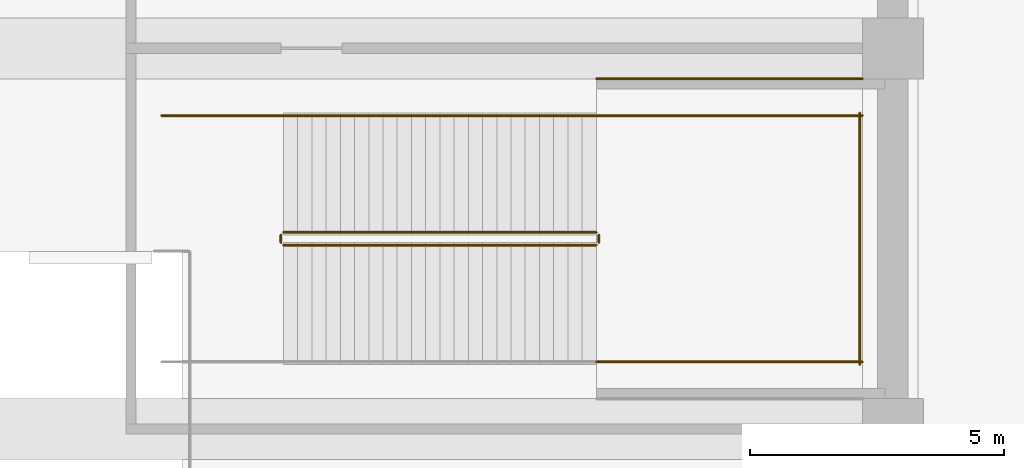
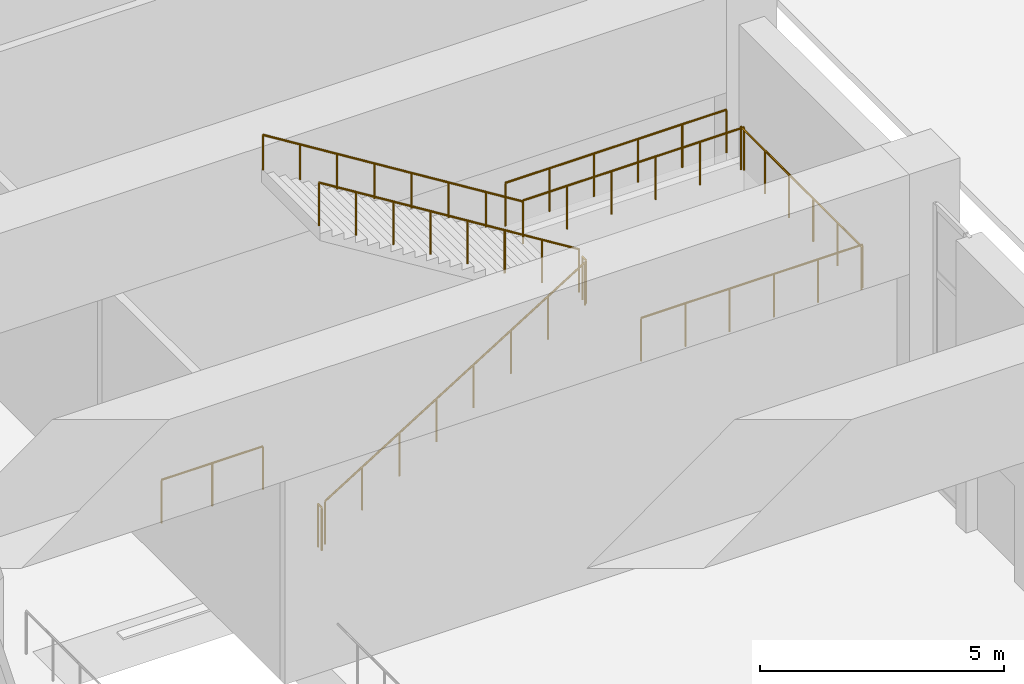
# One storey, part 43 of 57: 10 railings.
"""IFC4 building model written with IfcOpenShell, lengths in metres."""

from ifc_helpers import new_model, si_unit, direction, frame, origin, origin_2d, place, context, subcontext, project, spatial, circle, extrude, material, type_object, element, save


model = new_model("IFC4")

# Units and contexts
model_context = context("Model", 3, precision=1e-05, world=origin(), true_north=direction((0.0, 1.0)))
body_context = subcontext(model_context, "Body", "Model", "MODEL_VIEW")
ifc_project = project(units=[si_unit("LENGTHUNIT", "METRE"), si_unit("AREAUNIT", "SQUARE_METRE"), si_unit("VOLUMEUNIT", "CUBIC_METRE"), si_unit("PLANEANGLEUNIT", "RADIAN"), si_unit("MASSUNIT", "GRAM", prefix="KILO")], contexts=[model_context])

# Site, building, storey
site_placement = place(None, origin())
site = spatial("IfcSite", under=ifc_project, at=site_placement, CompositionType="ELEMENT")
building_placement = place(site_placement, origin())
building = spatial("IfcBuilding", under=site, at=building_placement, Name="Tamorin Gate", CompositionType="ELEMENT")
storey_placement = place(building_placement, origin())
storey = spatial("IfcBuildingStorey", under=building, at=storey_placement, Name="L00", CompositionType="ELEMENT", Elevation=0.0)

# Railings
ifc_material = material(Name="Steel", Category="steel")
railing_type_1 = type_object("IfcRailingType", Name="Podium guard 1100", PredefinedType="GUARDRAIL", material=ifc_material)
railing_1_placement = place(storey_placement, frame((100.0, 56.125, 0.173828125)))
element("IfcRailing", 1, at=railing_1_placement, inside=storey, type_object=railing_type_1, Name="L00 PS3 stair guard 1", PredefinedType="GUARDRAIL", context=body_context, shape_type="SweptSolid", body=[
    extrude(circle(Radius=0.02392578125, at=origin_2d()), frame((0.0, 0.0, 1.076171875), z_axis=(0.849468459523, 0.0, 0.527639399851), x_axis=(0.0, 1.0, 0.0)), (0.0, 0.0, 1.0), 7.25146484375),
    extrude(circle(Radius=0.02099609375, at=origin_2d()), origin(), (0.0, 0.0, 1.0), 1.052001953125),
    extrude(circle(Radius=0.02099609375, at=origin_2d()), frame((0.8798828125, 0.0, 0.546630859375)), (0.0, 0.0, 1.0), 1.052001953125),
    extrude(circle(Radius=0.02099609375, at=origin_2d()), frame((1.760009765625, 0.0, 1.09326171875)), (0.0, 0.0, 1.0), 1.052001953125),
    extrude(circle(Radius=0.02099609375, at=origin_2d()), frame((2.639892578125, 0.0, 1.639892578125)), (0.0, 0.0, 1.0), 1.052001953125),
    extrude(circle(Radius=0.02099609375, at=origin_2d()), frame((3.52001953125, 0.0, 2.186279296875)), (0.0, 0.0, 1.0), 1.052001953125),
    extrude(circle(Radius=0.02099609375, at=origin_2d()), frame((4.39990234375, 0.0, 2.73291015625)), (0.0, 0.0, 1.0), 1.052001953125),
    extrude(circle(Radius=0.02099609375, at=origin_2d()), frame((5.280029296875, 0.0, 3.279541015625)), (0.0, 0.0, 1.0), 1.052001953125),
    extrude(circle(Radius=0.02099609375, at=origin_2d()), frame((6.159912109375, 0.0, 3.826171875)), (0.0, 0.0, 1.0), 1.052001953125),
])
railing_2_placement = place(storey_placement, frame((106.2099609375, 56.175048828125, 4.0)))
element("IfcRailing", 2, at=railing_2_placement, inside=storey, type_object=railing_type_1, Name="L00 PS3 stair guard 2", PredefinedType="GUARDRAIL", context=body_context, shape_type="SweptSolid", body=[
    extrude(circle(Radius=0.02392578125, at=origin_2d()), frame((0.0, 0.0, 1.076171875), z_axis=(0.0, 1.0, 0.0), x_axis=(-1.0, 0.0, 0.0)), (0.0, 0.0, 1.0), 0.14990234375),
    extrude(circle(Radius=0.02099609375, at=origin_2d()), origin(), (0.0, 0.0, 1.0), 1.052001953125),
    extrude(circle(Radius=0.02099609375, at=origin_2d()), frame((0.0, 0.14990234375, 0.0)), (0.0, 0.0, 1.0), 1.052001953125),
])
for number, where, name in (
    (3, (106.159912109375, 53.824951171875, 4.0), "L00 PS3 stair guard 3"),
    (4, (106.159912109375, 58.675048828125, 4.0), "L00 PS3 stair guard 4"),
):
    element("IfcRailing", number, at=place(storey_placement, frame(where)), inside=storey, type_object=railing_type_1, Name=name, PredefinedType="GUARDRAIL", context=body_context, shape_type="SweptSolid", body=[
        extrude(circle(Radius=0.02392578125, at=origin_2d()), frame((0.0, 0.0, 1.076171875), z_axis=(1.0, 0.0, 0.0), x_axis=(0.0, 1.0, 0.0)), (0.0, 0.0, 1.0), 5.239990234375),
        extrude(circle(Radius=0.02099609375, at=origin_2d()), origin(), (0.0, 0.0, 1.0), 1.052001953125),
        extrude(circle(Radius=0.02099609375, at=origin_2d()), frame((1.048095703125, 0.0, 0.0)), (0.0, 0.0, 1.0), 1.052001953125),
        extrude(circle(Radius=0.02099609375, at=origin_2d()), frame((2.095947265625, 0.0, 0.0)), (0.0, 0.0, 1.0), 1.052001953125),
        extrude(circle(Radius=0.02099609375, at=origin_2d()), frame((3.14404296875, 0.0, 0.0)), (0.0, 0.0, 1.0), 1.052001953125),
        extrude(circle(Radius=0.02099609375, at=origin_2d()), frame((4.19189453125, 0.0, 0.0)), (0.0, 0.0, 1.0), 1.052001953125),
        extrude(circle(Radius=0.02099609375, at=origin_2d()), frame((5.239990234375, 0.0, 0.0)), (0.0, 0.0, 1.0), 1.052001953125),
    ])
railing_3_placement = place(storey_placement, frame((111.35009765625, 53.77490234375, 4.0)))
element("IfcRailing", 5, at=railing_3_placement, inside=storey, type_object=railing_type_1, Name="L00 PS3 stair guard 5", PredefinedType="GUARDRAIL", context=body_context, shape_type="SweptSolid", body=[
    extrude(circle(Radius=0.02392578125, at=origin_2d()), frame((0.0, 0.0, 1.076171875), z_axis=(0.0, 1.0, 0.0), x_axis=(-1.0, 0.0, 0.0)), (0.0, 0.0, 1.0), 4.9501953125),
    extrude(circle(Radius=0.02099609375, at=origin_2d()), origin(), (0.0, 0.0, 1.0), 1.052001953125),
    extrude(circle(Radius=0.02099609375, at=origin_2d()), frame((0.0, 0.989990234375, 0.0)), (0.0, 0.0, 1.0), 1.052001953125),
    extrude(circle(Radius=0.02099609375, at=origin_2d()), frame((0.0, 1.97998046875, 0.0)), (0.0, 0.0, 1.0), 1.052001953125),
    extrude(circle(Radius=0.02099609375, at=origin_2d()), frame((0.0, 2.97021484375, 0.0)), (0.0, 0.0, 1.0), 1.052001953125),
    extrude(circle(Radius=0.02099609375, at=origin_2d()), frame((0.0, 3.960205078125, 0.0)), (0.0, 0.0, 1.0), 1.052001953125),
    extrude(circle(Radius=0.02099609375, at=origin_2d()), frame((0.0, 4.9501953125, 0.0)), (0.0, 0.0, 1.0), 1.052001953125),
])
railing_4_placement = place(storey_placement, frame((106.159912109375, 56.375, 4.173828125)))
element("IfcRailing", 6, at=railing_4_placement, inside=storey, type_object=railing_type_1, Name="L00 PS3 stair guard 6", PredefinedType="GUARDRAIL", context=body_context, shape_type="SweptSolid", body=[
    extrude(circle(Radius=0.02392578125, at=origin_2d()), frame((0.0, 0.0, 1.076171875), z_axis=(-0.849468459523, 0.0, 0.527639399851), x_axis=(0.0, -1.0, 0.0)), (0.0, 0.0, 1.0), 7.25146484375),
    extrude(circle(Radius=0.02099609375, at=origin_2d()), origin(), (0.0, 0.0, 1.0), 1.052001953125),
    extrude(circle(Radius=0.02099609375, at=origin_2d()), frame((-0.8798828125, 0.0, 0.546630859375)), (0.0, 0.0, 1.0), 1.052001953125),
    extrude(circle(Radius=0.02099609375, at=origin_2d()), frame((-1.760009765625, 0.0, 1.09326171875)), (0.0, 0.0, 1.0), 1.052001953125),
    extrude(circle(Radius=0.02099609375, at=origin_2d()), frame((-2.639892578125, 0.0, 1.639892578125)), (0.0, 0.0, 1.0), 1.052001953125),
    extrude(circle(Radius=0.02099609375, at=origin_2d()), frame((-3.52001953125, 0.0, 2.186279296875)), (0.0, 0.0, 1.0), 1.052001953125),
    extrude(circle(Radius=0.02099609375, at=origin_2d()), frame((-4.39990234375, 0.0, 2.73291015625)), (0.0, 0.0, 1.0), 1.052001953125),
    extrude(circle(Radius=0.02099609375, at=origin_2d()), frame((-5.280029296875, 0.0, 3.279541015625)), (0.0, 0.0, 1.0), 1.052001953125),
    extrude(circle(Radius=0.02099609375, at=origin_2d()), frame((-6.159912109375, 0.0, 3.826171875)), (0.0, 0.0, 1.0), 1.052001953125),
])
railing_5_placement = place(storey_placement, frame((99.949951171875, 56.175048828125, 0.0)))
element("IfcRailing", 7, at=railing_5_placement, inside=storey, type_object=railing_type_1, Name="L00 PS3 stair guard 7", PredefinedType="GUARDRAIL", context=body_context, shape_type="SweptSolid", body=[
    extrude(circle(Radius=0.02392578125, at=origin_2d()), frame((0.0, 0.0, 1.076171875), z_axis=(0.0, 1.0, 0.0), x_axis=(-1.0, 0.0, 0.0)), (0.0, 0.0, 1.0), 0.14990234375),
    extrude(circle(Radius=0.02099609375, at=origin_2d()), origin(), (0.0, 0.0, 1.0), 1.052001953125),
    extrude(circle(Radius=0.02099609375, at=origin_2d()), frame((0.0, 0.14990234375, 0.0)), (0.0, 0.0, 1.0), 1.052001953125),
])
railing_6_placement = place(storey_placement, frame((97.60009765625, 58.675048828125, 0.0)))
element("IfcRailing", 8, at=railing_6_placement, inside=storey, type_object=railing_type_1, Name="L00 PS3 stair guard 9", PredefinedType="GUARDRAIL", context=body_context, shape_type="SweptSolid", body=[
    extrude(circle(Radius=0.02392578125, at=origin_2d()), frame((0.0, 0.0, 1.076171875), z_axis=(1.0, 0.0, 0.0), x_axis=(0.0, 1.0, 0.0)), (0.0, 0.0, 1.0), 2.39990234375),
    extrude(circle(Radius=0.02099609375, at=origin_2d()), origin(), (0.0, 0.0, 1.0), 1.052001953125),
    extrude(circle(Radius=0.02099609375, at=origin_2d()), frame((1.199951171875, 0.0, 0.0)), (0.0, 0.0, 1.0), 1.052001953125),
    extrude(circle(Radius=0.02099609375, at=origin_2d()), frame((2.39990234375, 0.0, 0.0)), (0.0, 0.0, 1.0), 1.052001953125),
])
railing_7_placement = place(storey_placement, frame((106.159912109375, 59.39990234375, 4.0)))
element("IfcRailing", 9, at=railing_7_placement, inside=storey, type_object=railing_type_1, Name="Landing edge guard", PredefinedType="GUARDRAIL", context=body_context, shape_type="SweptSolid", body=[
    extrude(circle(Radius=0.02392578125, at=origin_2d()), frame((0.0, 0.0, 1.076171875), z_axis=(1.0, 0.0, 0.0), x_axis=(0.0, 1.0, 0.0)), (0.0, 0.0, 1.0), 5.239990234375),
    extrude(circle(Radius=0.02099609375, at=origin_2d()), origin(), (0.0, 0.0, 1.0), 1.052001953125),
    extrude(circle(Radius=0.02099609375, at=origin_2d()), frame((1.048095703125, 0.0, 0.0)), (0.0, 0.0, 1.0), 1.052001953125),
    extrude(circle(Radius=0.02099609375, at=origin_2d()), frame((2.095947265625, 0.0, 0.0)), (0.0, 0.0, 1.0), 1.052001953125),
    extrude(circle(Radius=0.02099609375, at=origin_2d()), frame((3.14404296875, 0.0, 0.0)), (0.0, 0.0, 1.0), 1.052001953125),
    extrude(circle(Radius=0.02099609375, at=origin_2d()), frame((4.19189453125, 0.0, 0.0)), (0.0, 0.0, 1.0), 1.052001953125),
    extrude(circle(Radius=0.02099609375, at=origin_2d()), frame((5.239990234375, 0.0, 0.0)), (0.0, 0.0, 1.0), 1.052001953125),
])
railing_type_2 = type_object("IfcRailingType", Name="Podium stair handrail 900", PredefinedType="HANDRAIL", material=ifc_material)
railing_8_placement = place(storey_placement, frame((106.159912109375, 58.675048828125, 4.173828125)))
element("IfcRailing", 10, at=railing_8_placement, inside=storey, type_object=railing_type_2, Name="L00 PS3 stair handrail 2", PredefinedType="HANDRAIL", context=body_context, shape_type="SweptSolid", body=[
    extrude(circle(Radius=0.02392578125, at=origin_2d()), frame((0.0, 0.0, 0.8759765625), z_axis=(-0.849468459523, 0.0, 0.527639399851), x_axis=(0.0, -1.0, 0.0)), (0.0, 0.0, 1.0), 7.25146484375),
    extrude(circle(Radius=0.02099609375, at=origin_2d()), origin(), (0.0, 0.0, 1.0), 0.851806640625),
    extrude(circle(Radius=0.02099609375, at=origin_2d()), frame((-0.8798828125, 0.0, 0.546630859375)), (0.0, 0.0, 1.0), 0.851806640625),
    extrude(circle(Radius=0.02099609375, at=origin_2d()), frame((-1.760009765625, 0.0, 1.09326171875)), (0.0, 0.0, 1.0), 0.851806640625),
    extrude(circle(Radius=0.02099609375, at=origin_2d()), frame((-2.639892578125, 0.0, 1.639892578125)), (0.0, 0.0, 1.0), 0.851806640625),
    extrude(circle(Radius=0.02099609375, at=origin_2d()), frame((-3.52001953125, 0.0, 2.186279296875)), (0.0, 0.0, 1.0), 0.851806640625),
    extrude(circle(Radius=0.02099609375, at=origin_2d()), frame((-4.39990234375, 0.0, 2.73291015625)), (0.0, 0.0, 1.0), 0.851806640625),
    extrude(circle(Radius=0.02099609375, at=origin_2d()), frame((-5.280029296875, 0.0, 3.279541015625)), (0.0, 0.0, 1.0), 0.851806640625),
    extrude(circle(Radius=0.02099609375, at=origin_2d()), frame((-6.159912109375, 0.0, 3.826171875)), (0.0, 0.0, 1.0), 0.851806640625),
])

save(model, "model.ifc")
